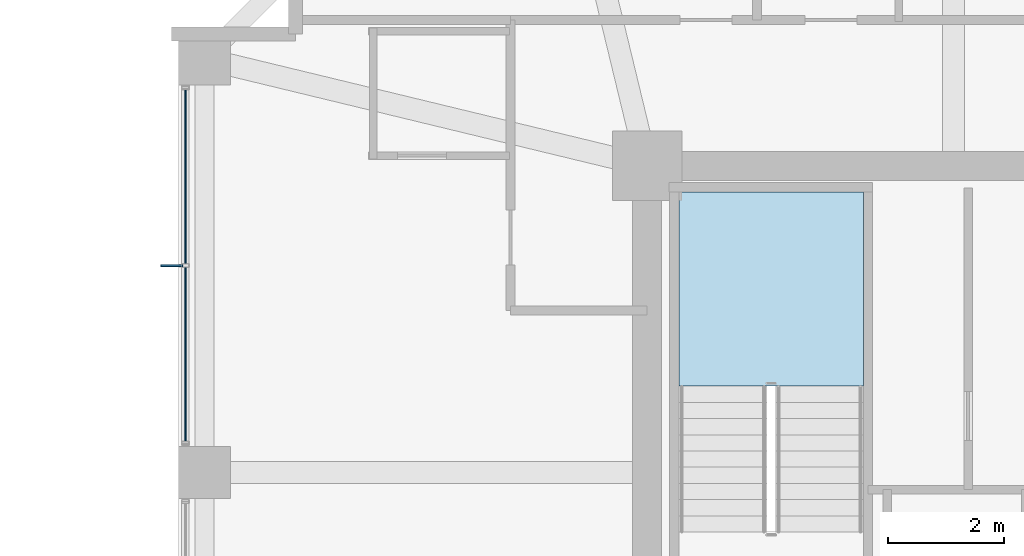
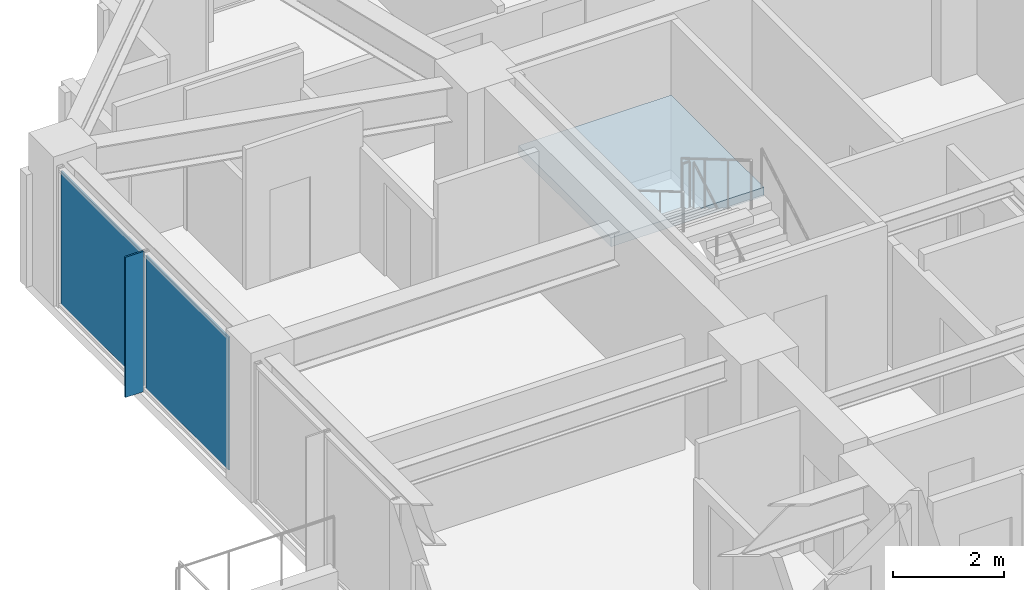
# One storey, part 23 of 32: 3 plates, 1 slab, 2 elements without a shape of their own.
"""IFC4 building model written with IfcOpenShell, lengths in metres."""

from ifc_helpers import new_model, si_unit, direction, frame, origin, origin_2d, place, context, subcontext, project, spatial, polyline, rectangle, outline, extrude, material, layer, layer_set, type_object, element, aggregate, save


model = new_model("IFC4")

# Units and contexts
model_context = context("Model", 3, precision=1e-05, world=origin(), true_north=direction((0.0, 1.0)))
body_context = subcontext(model_context, "Body", "Model", "MODEL_VIEW")
ifc_project = project(units=[si_unit("LENGTHUNIT", "METRE"), si_unit("AREAUNIT", "SQUARE_METRE"), si_unit("VOLUMEUNIT", "CUBIC_METRE"), si_unit("PLANEANGLEUNIT", "RADIAN"), si_unit("MASSUNIT", "GRAM", prefix="KILO")], contexts=[model_context])

# Site, building, storey
site_placement = place(None, origin())
site = spatial("IfcSite", under=ifc_project, at=site_placement, CompositionType="ELEMENT")
building_placement = place(site_placement, origin())
building = spatial("IfcBuilding", under=site, at=building_placement, Name="Kolvaren Belvedere", CompositionType="ELEMENT")
storey_placement = place(building_placement, frame((0.0, 0.0, 141.5)))
storey = spatial("IfcBuildingStorey", under=building, at=storey_placement, Name="L41", CompositionType="ELEMENT", Elevation=141.5)

# Curtain wall, plates
ifc_material_1 = material(Name="Anodised pale-metal aluminium AA 6063-T6", Category="aluminium")
curtain_wall_type = type_object("IfcCurtainWallType", Name="CW-Z3-WAIST", PredefinedType="NOTDEFINED", material=ifc_material_1)
curtain_wall_placement = place(storey_placement, origin())
curtain_wall = element("IfcCurtainWall", 1, at=curtain_wall_placement, inside=storey, type_object=curtain_wall_type, Name="L41 Unitised Curtain Wall FCW-L41-W2-B2", PredefinedType="NOTDEFINED")
ifc_material_2 = material(Name="Low-iron triple insulated glass", Category="glass")
ifc_layer_1 = layer(ifc_material_2, 0.028076171875)
ifc_layer_set_1 = layer_set([ifc_layer_1], Name="Low-iron triple insulated glass")
plate_type_1 = type_object("IfcPlateType", Name="CW-PNL-VIS28", PredefinedType="CURTAIN_PANEL", material=ifc_layer_set_1)
plate_1_placement = place(storey_placement, frame((-17.8798828125, 6.638671875, 0.080078125), z_axis=(0.0, 0.0, 1.0), x_axis=(0.0, 1.0, 0.0)))
plate_1 = element("IfcPlate", 2, at=plate_1_placement, type_object=plate_type_1, Name="FCW-L41-W2-B2 Vision Glazing Panel 1", PredefinedType="CURTAIN_PANEL", context=body_context, shape_type="SweptSolid", body=[
    extrude(rectangle(XDim=2.992431640625, YDim=0.028076171875, at=origin_2d()), origin(), (0.0, 0.0, 1.0), 2.93994140625),
])
plate_2_placement = place(storey_placement, frame((-17.8798828125, 9.711181640625, 0.080078125), z_axis=(0.0, 0.0, 1.0), x_axis=(0.0, 1.0, 0.0)))
plate_2 = element("IfcPlate", 3, at=plate_2_placement, type_object=plate_type_1, Name="FCW-L41-W2-B2 Vision Glazing Panel 2", PredefinedType="CURTAIN_PANEL", context=body_context, shape_type="SweptSolid", body=[
    extrude(rectangle(XDim=2.992431640625, YDim=0.028076171875, at=origin_2d()), origin(), (0.0, 0.0, 1.0), 2.93994140625),
])
aggregate(curtain_wall, [plate_1, plate_2])

# Plate
ifc_material_3 = material(Name="Anodised pale-metal aluminium AA 6063-T6", Category="aluminium")
ifc_layer_2 = layer(ifc_material_3, 0.033935546875)
ifc_layer_set_2 = layer_set([ifc_layer_2], Name="Anodised pale-metal aluminium AA 6063-T6")
plate_type_2 = type_object("IfcPlateType", Name="FIN-VERT-380", PredefinedType="USERDEFINED", material=ifc_layer_set_2)
plate_3_placement = place(storey_placement, frame((-18.1201171875, 8.175048828125, 0.0), z_axis=(0.0, 0.0, 1.0), x_axis=(1.0, 0.0, 0.0)))
element("IfcPlate", 4, at=plate_3_placement, inside=storey, type_object=plate_type_2, Name="L41 Pale-Metal Vertical Shading Fin FCW-L41-W2-B2-1", ObjectType="VERTICAL FIN", PredefinedType="USERDEFINED", context=body_context, shape_type="SweptSolid", body=[
    extrude(rectangle(XDim=0.3798828125, YDim=0.033935546875, at=origin_2d()), origin(), (0.0, 0.0, 1.0), 3.10009765625),
])

# Stair, slab
ifc_material_4 = material(Name="Concrete C50/60", Category="concrete")
stair_type = type_object("IfcStairType", Name="ST-CORE-1520", PredefinedType="HALF_TURN_STAIR", material=ifc_material_4)
stair_placement = place(storey_placement, origin())
stair = element("IfcStair", 5, at=stair_placement, inside=storey, type_object=stair_type, Name="L41 Protected Exit Stair ST-1", PredefinedType="HALF_TURN_STAIR")
ifc_material_5 = material(Name="Concrete C50/60", Category="concrete")
ifc_layer_3 = layer(ifc_material_5, 0.260009765625)
ifc_layer_set_3 = layer_set([ifc_layer_3], Name="Concrete C50/60")
slab_type = type_object("IfcSlabType", Name="SL-LAND-260", PredefinedType="LANDING", material=ifc_layer_set_3)
slab_placement = place(storey_placement, frame((0.0, 0.0, 1.449951171875)))
slab = element("IfcSlab", 6, at=slab_placement, type_object=slab_type, Name="ST-1 landing 1", PredefinedType="LANDING", context=body_context, shape_type="SweptSolid", body=[
    extrude(outline(polyline([(-6.159912109375, 6.090087890625), (-6.159912109375, 9.449951171875), (-9.35009765625, 9.449951171875), (-9.35009765625, 6.090087890625), (-6.159912109375, 6.090087890625)])), origin(), (0.0, 0.0, 1.0), 0.199951171875),
])
aggregate(stair, [slab])

save(model, "model.ifc")
